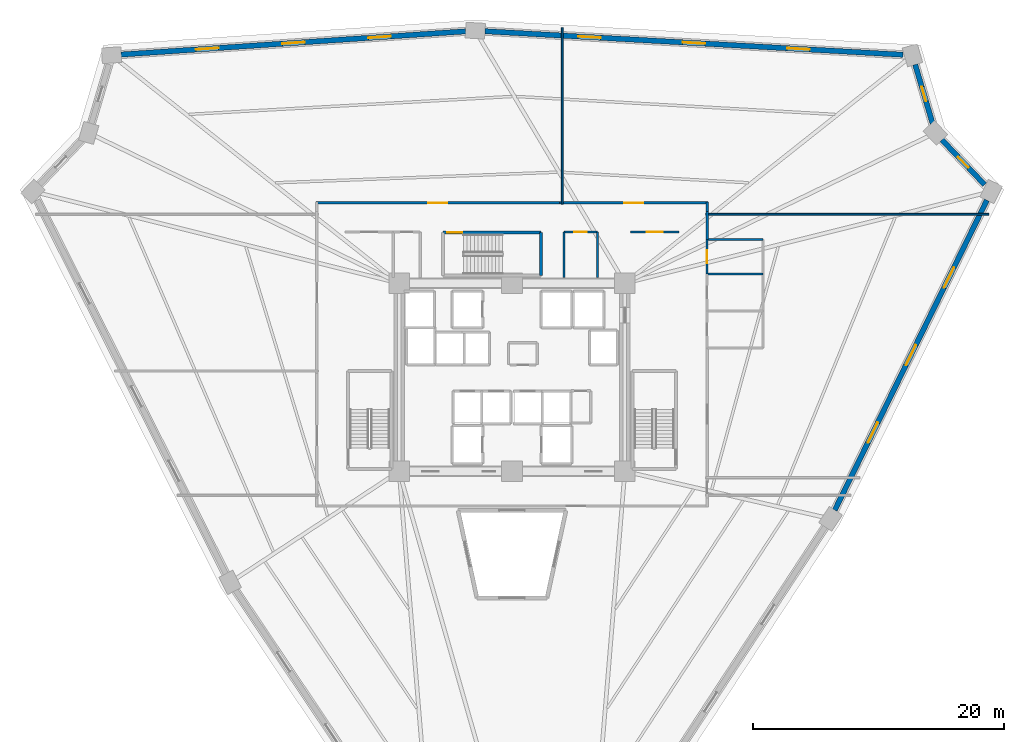
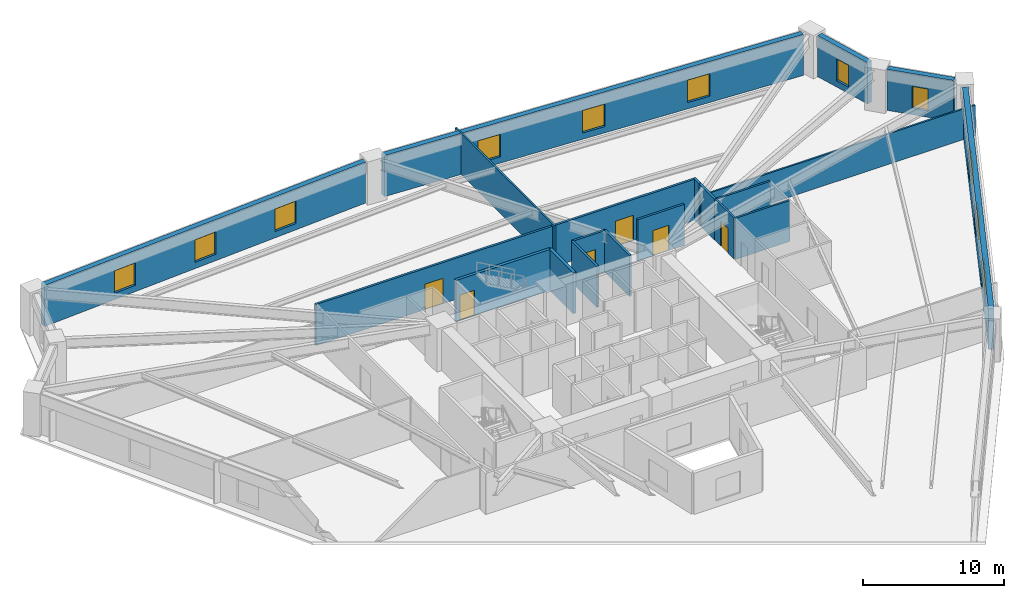
# One storey, part 6 of 8: 20 walls, 11 windows, 6 doors, 17 openings.
"""IFC4 building model written with IfcOpenShell, lengths in metres."""

from ifc_helpers import new_model, si_unit, direction, frame, frame_2d, origin, place, context, subcontext, project, spatial, rectangle, extrude, source, transform, mapped, material, layer, layer_set, type_object, element, fill, save


model = new_model("IFC4")

# Units and contexts
model_context = context("Model", 3, precision=1e-05, world=origin(), true_north=direction((0.0, 1.0)))
body_context = subcontext(model_context, "Body", "Model", "MODEL_VIEW")
ifc_project = project(units=[si_unit("LENGTHUNIT", "METRE"), si_unit("AREAUNIT", "SQUARE_METRE"), si_unit("VOLUMEUNIT", "CUBIC_METRE"), si_unit("PLANEANGLEUNIT", "RADIAN"), si_unit("MASSUNIT", "GRAM", prefix="KILO")], contexts=[model_context])

# Site, building, storey
site_placement = place(None, origin())
site = spatial("IfcSite", under=ifc_project, at=site_placement, CompositionType="ELEMENT")
building_placement = place(site_placement, origin())
building = spatial("IfcBuilding", under=site, at=building_placement, Name="Liaohun Quay Tower", CompositionType="ELEMENT")
storey_placement = place(building_placement, frame((0.0, 0.0, 63.0)))
storey = spatial("IfcBuildingStorey", under=building, at=storey_placement, Name="L16", CompositionType="ELEMENT", Elevation=63.0)

# Wall, openings, windows
ifc_material_1 = material(Name="Precast concrete C50 insulated sandwich", Category="concrete")
ifc_layer_1 = layer(ifc_material_1, 0.419921875, Name="Precast concrete C50 insulated sandwich", Category="concrete")
ifc_layer_set_1 = layer_set([ifc_layer_1], Name="Precast concrete C50 insulated sandwich")
wall_type_1 = type_object("IfcWallType", Name="WAL-EXT-Z12", PredefinedType="SOLIDWALL", material=ifc_layer_set_1)
wall_1_placement = place(storey_placement, frame((85.738037109375, 43.403076171875, 0.0), z_axis=(0.0, 0.0, 1.0), x_axis=(0.440623312768, 0.897692094343, 0.0)))
wall_1 = element("IfcWall", 1, at=wall_1_placement, inside=storey, type_object=wall_type_1, Name="L16 Brutalist Precast Pier Wall 03", PredefinedType="SOLIDWALL", context=body_context, shape_type="SweptSolid", body=[
    extrude(rectangle(XDim=27.538330078125, YDim=0.419921875, at=frame_2d((13.76904296875, 0.0))), origin(), (0.0, 0.0, 1.0), 3.570068359375),
])
shared_shape_1 = source(origin(), body_context, "Body", "SweptSolid", [
    extrude(rectangle(XDim=1.800048828125, YDim=1.949951171875, at=frame_2d((0.89990234375, 0.97509765625))), frame((0.0, 0.219970703125, 0.0), z_axis=(0.0, -1.0, 0.0), x_axis=(1.0, 0.0, 0.0)), (0.0, 0.0, 1.0), 0.43994140625),
])
opening_1_placement = place(wall_1_placement, frame((5.985107421875, 0.0, 0.550048828125)))
opening_1 = element("IfcOpeningElement", 2, at=opening_1_placement, cuts=wall_1, Name="Opening W01", PredefinedType="OPENING", context=body_context, shape_type="MappedRepresentation", body=[
    mapped(shared_shape_1, transform((0.0, 0.0, 0.0), x_axis=(1.0, 0.0, 0.0), y_axis=(0.0, 1.0, 0.0), z_axis=(0.0, 0.0, 1.0), scale=1.0)),
])
opening_2_placement = place(wall_1_placement, frame((12.868896484375, 0.0, 0.550048828125)))
opening_2 = element("IfcOpeningElement", 3, at=opening_2_placement, cuts=wall_1, Name="Opening W01", PredefinedType="OPENING", context=body_context, shape_type="MappedRepresentation", body=[
    mapped(shared_shape_1, transform((0.0, 0.0, 0.0), x_axis=(1.0, 0.0, 0.0), y_axis=(0.0, 1.0, 0.0), z_axis=(0.0, 0.0, 1.0), scale=1.0)),
])
opening_3_placement = place(wall_1_placement, frame((19.75390625, 0.0, 0.550048828125)))
opening_3 = element("IfcOpeningElement", 4, at=opening_3_placement, cuts=wall_1, Name="Opening W01", PredefinedType="OPENING", context=body_context, shape_type="MappedRepresentation", body=[
    mapped(shared_shape_1, transform((0.0, 0.0, 0.0), x_axis=(1.0, 0.0, 0.0), y_axis=(0.0, 1.0, 0.0), z_axis=(0.0, 0.0, 1.0), scale=1.0)),
])
ifc_material_2 = material(Name="Triple Low-E argon glazing in thermally broken aluminium", Category="aluminium")
window_type_1 = type_object("IfcWindowType", Name="WIN-PUN-Z1", PartitioningType="DOUBLE_PANEL_VERTICAL", PredefinedType="WINDOW", material=ifc_material_2)
shared_shape_2 = source(origin(), body_context, "Body", "SweptSolid", [
    extrude(rectangle(XDim=1.800048828125, YDim=1.949951171875, at=frame_2d((0.89990234375, 0.97509765625))), frame((0.0, 0.030029296875, 0.0), z_axis=(0.0, -1.0, 0.0), x_axis=(1.0, 0.0, 0.0)), (0.0, 0.0, 1.0), 0.06005859375),
])
window_1_placement = place(opening_1_placement, origin())
window_1 = element("IfcWindow", 5, at=window_1_placement, inside=storey, type_object=window_type_1, Name="L16 Recessed Cold-Climate Punched Window 03-1", OverallHeight=1.949951171875, OverallWidth=1.800048828125, PartitioningType="DOUBLE_PANEL_VERTICAL", PredefinedType="WINDOW", context=body_context, shape_type="MappedRepresentation", body=[
    mapped(shared_shape_2, transform((0.0, 0.0, 0.0), x_axis=(1.0, 0.0, 0.0), y_axis=(0.0, 1.0, 0.0), z_axis=(0.0, 0.0, 1.0), scale=1.0)),
])
fill(opening_1, window_1)
window_2_placement = place(opening_2_placement, origin())
window_2 = element("IfcWindow", 6, at=window_2_placement, inside=storey, type_object=window_type_1, Name="L16 Recessed Cold-Climate Punched Window 03-2", OverallHeight=1.949951171875, OverallWidth=1.800048828125, PartitioningType="DOUBLE_PANEL_VERTICAL", PredefinedType="WINDOW", context=body_context, shape_type="MappedRepresentation", body=[
    mapped(shared_shape_2, transform((0.0, 0.0, 0.0), x_axis=(1.0, 0.0, 0.0), y_axis=(0.0, 1.0, 0.0), z_axis=(0.0, 0.0, 1.0), scale=1.0)),
])
fill(opening_2, window_2)
window_3_placement = place(opening_3_placement, origin())
window_3 = element("IfcWindow", 7, at=window_3_placement, inside=storey, type_object=window_type_1, Name="L16 Recessed Cold-Climate Punched Window 03-3", OverallHeight=1.949951171875, OverallWidth=1.800048828125, PartitioningType="DOUBLE_PANEL_VERTICAL", PredefinedType="WINDOW", context=body_context, shape_type="MappedRepresentation", body=[
    mapped(shared_shape_2, transform((0.0, 0.0, 0.0), x_axis=(1.0, 0.0, 0.0), y_axis=(0.0, 1.0, 0.0), z_axis=(0.0, 0.0, 1.0), scale=1.0)),
])
fill(opening_3, window_3)

# Wall, opening, window
wall_2_placement = place(storey_placement, frame((97.681884765625, 69.364990234375, 0.0), z_axis=(0.0, 0.0, 1.0), x_axis=(-0.689227085511, 0.724545391675, 0.0)))
wall_2 = element("IfcWall", 8, at=wall_2_placement, inside=storey, type_object=wall_type_1, Name="L16 Brutalist Precast Pier Wall 04", PredefinedType="SOLIDWALL", context=body_context, shape_type="SweptSolid", body=[
    extrude(rectangle(XDim=4.9287109375, YDim=0.419921875, at=frame_2d((2.46435546875, 0.0))), origin(), (0.0, 0.0, 1.0), 3.570068359375),
])
shared_shape_3 = source(origin(), body_context, "Body", "SweptSolid", [
    extrude(rectangle(XDim=1.199951171875, YDim=1.89990234375, at=frame_2d((0.60009765625, 0.949951171875))), frame((0.0, 0.219970703125, 0.0), z_axis=(0.0, -1.0, 0.0), x_axis=(1.0, 0.0, 0.0)), (0.0, 0.0, 1.0), 0.43994140625),
])
opening_4_placement = place(wall_2_placement, frame((1.864013671875, 0.0, 0.550048828125)))
opening_4 = element("IfcOpeningElement", 9, at=opening_4_placement, cuts=wall_2, Name="Opening W05", PredefinedType="OPENING", context=body_context, shape_type="MappedRepresentation", body=[
    mapped(shared_shape_3, transform((0.0, 0.0, 0.0), x_axis=(1.0, 0.0, 0.0), y_axis=(0.0, 1.0, 0.0), z_axis=(0.0, 0.0, 1.0), scale=1.0)),
])
ifc_material_3 = material(Name="Triple Low-E corner notch glazing", Category="glass")
window_type_2 = type_object("IfcWindowType", Name="WIN-NOTCH", PartitioningType="SINGLE_PANEL", PredefinedType="WINDOW", material=ifc_material_3)
shared_shape_4 = source(origin(), body_context, "Body", "SweptSolid", [
    extrude(rectangle(XDim=1.199951171875, YDim=1.89990234375, at=frame_2d((0.60009765625, 0.949951171875))), frame((0.0, 0.030029296875, 0.0), z_axis=(0.0, -1.0, 0.0), x_axis=(1.0, 0.0, 0.0)), (0.0, 0.0, 1.0), 0.06005859375),
])
window_4_placement = place(opening_4_placement, origin())
window_4 = element("IfcWindow", 10, at=window_4_placement, inside=storey, type_object=window_type_2, Name="L16 Corner Notch Window W05-04", OverallHeight=1.89990234375, OverallWidth=1.199951171875, PartitioningType="SINGLE_PANEL", PredefinedType="WINDOW", context=body_context, shape_type="MappedRepresentation", body=[
    mapped(shared_shape_4, transform((0.0, 0.0, 0.0), x_axis=(1.0, 0.0, 0.0), y_axis=(0.0, 1.0, 0.0), z_axis=(0.0, 0.0, 1.0), scale=1.0)),
])
fill(opening_4, window_4)

wall_3_placement = place(storey_placement, frame((93.5419921875, 74.22412109375, 0.0), z_axis=(0.0, 0.0, 1.0), x_axis=(-0.282888780921, 0.959152718616, 0.0)))
wall_3 = element("IfcWall", 11, at=wall_3_placement, inside=storey, type_object=wall_type_1, Name="L16 Brutalist Precast Pier Wall 05", PredefinedType="SOLIDWALL", context=body_context, shape_type="SweptSolid", body=[
    extrude(rectangle(XDim=4.9208984375, YDim=0.419921875, at=frame_2d((2.46044921875, 0.0))), origin(), (0.0, 0.0, 1.0), 3.570068359375),
])
opening_5_placement = place(wall_3_placement, frame((1.860107421875, 0.0, 0.550048828125)))
opening_5 = element("IfcOpeningElement", 12, at=opening_5_placement, cuts=wall_3, Name="Opening W05", PredefinedType="OPENING", context=body_context, shape_type="MappedRepresentation", body=[
    mapped(shared_shape_3, transform((0.0, 0.0, 0.0), x_axis=(1.0, 0.0, 0.0), y_axis=(0.0, 1.0, 0.0), z_axis=(0.0, 0.0, 1.0), scale=1.0)),
])
window_5_placement = place(opening_5_placement, origin())
window_5 = element("IfcWindow", 13, at=window_5_placement, inside=storey, type_object=window_type_2, Name="L16 Corner Notch Window W05-05", OverallHeight=1.89990234375, OverallWidth=1.199951171875, PartitioningType="SINGLE_PANEL", PredefinedType="WINDOW", context=body_context, shape_type="MappedRepresentation", body=[
    mapped(shared_shape_4, transform((0.0, 0.0, 0.0), x_axis=(1.0, 0.0, 0.0), y_axis=(0.0, 1.0, 0.0), z_axis=(0.0, 0.0, 1.0), scale=1.0)),
])
fill(opening_5, window_5)

# Wall, openings, windows
wall_4_placement = place(storey_placement, frame((91.169921875, 79.720947265625, 0.0), z_axis=(0.0, 0.0, 1.0), x_axis=(-0.998420041746, 0.056190926675, 0.0)))
wall_4 = element("IfcWall", 14, at=wall_4_placement, inside=storey, type_object=wall_type_1, Name="L16 Brutalist Precast Pier Wall 06", PredefinedType="SOLIDWALL", context=body_context, shape_type="SweptSolid", body=[
    extrude(rectangle(XDim=33.3857421875, YDim=0.419921875, at=frame_2d((16.69287109375, 0.0))), origin(), (0.0, 0.0, 1.0), 3.570068359375),
])
opening_6_placement = place(wall_4_placement, frame((7.446044921875, 0.0, 0.550048828125)))
opening_6 = element("IfcOpeningElement", 15, at=opening_6_placement, cuts=wall_4, Name="Opening W01", PredefinedType="OPENING", context=body_context, shape_type="MappedRepresentation", body=[
    mapped(shared_shape_1, transform((0.0, 0.0, 0.0), x_axis=(1.0, 0.0, 0.0), y_axis=(0.0, 1.0, 0.0), z_axis=(0.0, 0.0, 1.0), scale=1.0)),
])
opening_7_placement = place(wall_4_placement, frame((15.79296875, 0.0, 0.550048828125)))
opening_7 = element("IfcOpeningElement", 16, at=opening_7_placement, cuts=wall_4, Name="Opening W01", PredefinedType="OPENING", context=body_context, shape_type="MappedRepresentation", body=[
    mapped(shared_shape_1, transform((0.0, 0.0, 0.0), x_axis=(1.0, 0.0, 0.0), y_axis=(0.0, 1.0, 0.0), z_axis=(0.0, 0.0, 1.0), scale=1.0)),
])
opening_8_placement = place(wall_4_placement, frame((24.138916015625, 0.0, 0.550048828125)))
opening_8 = element("IfcOpeningElement", 17, at=opening_8_placement, cuts=wall_4, Name="Opening W01", PredefinedType="OPENING", context=body_context, shape_type="MappedRepresentation", body=[
    mapped(shared_shape_1, transform((0.0, 0.0, 0.0), x_axis=(1.0, 0.0, 0.0), y_axis=(0.0, 1.0, 0.0), z_axis=(0.0, 0.0, 1.0), scale=1.0)),
])
window_6_placement = place(opening_6_placement, origin())
window_6 = element("IfcWindow", 18, at=window_6_placement, inside=storey, type_object=window_type_1, Name="L16 Recessed Cold-Climate Punched Window 06-1", OverallHeight=1.949951171875, OverallWidth=1.800048828125, PartitioningType="DOUBLE_PANEL_VERTICAL", PredefinedType="WINDOW", context=body_context, shape_type="MappedRepresentation", body=[
    mapped(shared_shape_2, transform((0.0, 0.0, 0.0), x_axis=(1.0, 0.0, 0.0), y_axis=(0.0, 1.0, 0.0), z_axis=(0.0, 0.0, 1.0), scale=1.0)),
])
fill(opening_6, window_6)
window_7_placement = place(opening_7_placement, origin())
window_7 = element("IfcWindow", 19, at=window_7_placement, inside=storey, type_object=window_type_1, Name="L16 Recessed Cold-Climate Punched Window 06-2", OverallHeight=1.949951171875, OverallWidth=1.800048828125, PartitioningType="DOUBLE_PANEL_VERTICAL", PredefinedType="WINDOW", context=body_context, shape_type="MappedRepresentation", body=[
    mapped(shared_shape_2, transform((0.0, 0.0, 0.0), x_axis=(1.0, 0.0, 0.0), y_axis=(0.0, 1.0, 0.0), z_axis=(0.0, 0.0, 1.0), scale=1.0)),
])
fill(opening_7, window_7)
window_8_placement = place(opening_8_placement, origin())
window_8 = element("IfcWindow", 20, at=window_8_placement, inside=storey, type_object=window_type_1, Name="L16 Recessed Cold-Climate Punched Window 06-3", OverallHeight=1.949951171875, OverallWidth=1.800048828125, PartitioningType="DOUBLE_PANEL_VERTICAL", PredefinedType="WINDOW", context=body_context, shape_type="MappedRepresentation", body=[
    mapped(shared_shape_2, transform((0.0, 0.0, 0.0), x_axis=(1.0, 0.0, 0.0), y_axis=(0.0, 1.0, 0.0), z_axis=(0.0, 0.0, 1.0), scale=1.0)),
])
fill(opening_8, window_8)

wall_5_placement = place(storey_placement, frame((56.31005859375, 81.589111328125, 0.0), z_axis=(0.0, 0.0, 1.0), x_axis=(-0.997734032959, -0.067281494306, 0.0)))
wall_5 = element("IfcWall", 21, at=wall_5_placement, inside=storey, type_object=wall_type_1, Name="L16 Brutalist Precast Pier Wall 07", PredefinedType="SOLIDWALL", context=body_context, shape_type="SweptSolid", body=[
    extrude(rectangle(XDim=27.54150390625, YDim=0.419921875, at=frame_2d((13.770751953125, 0.0))), origin(), (0.0, 0.0, 1.0), 3.570068359375),
])
opening_9_placement = place(wall_5_placement, frame((5.985107421875, 0.0, 0.550048828125)))
opening_9 = element("IfcOpeningElement", 22, at=opening_9_placement, cuts=wall_5, Name="Opening W01", PredefinedType="OPENING", context=body_context, shape_type="MappedRepresentation", body=[
    mapped(shared_shape_1, transform((0.0, 0.0, 0.0), x_axis=(1.0, 0.0, 0.0), y_axis=(0.0, 1.0, 0.0), z_axis=(0.0, 0.0, 1.0), scale=1.0)),
])
opening_10_placement = place(wall_5_placement, frame((12.87109375, 0.0, 0.550048828125)))
opening_10 = element("IfcOpeningElement", 23, at=opening_10_placement, cuts=wall_5, Name="Opening W01", PredefinedType="OPENING", context=body_context, shape_type="MappedRepresentation", body=[
    mapped(shared_shape_1, transform((0.0, 0.0, 0.0), x_axis=(1.0, 0.0, 0.0), y_axis=(0.0, 1.0, 0.0), z_axis=(0.0, 0.0, 1.0), scale=1.0)),
])
opening_11_placement = place(wall_5_placement, frame((19.756103515625, 0.0, 0.550048828125)))
opening_11 = element("IfcOpeningElement", 24, at=opening_11_placement, cuts=wall_5, Name="Opening W01", PredefinedType="OPENING", context=body_context, shape_type="MappedRepresentation", body=[
    mapped(shared_shape_1, transform((0.0, 0.0, 0.0), x_axis=(1.0, 0.0, 0.0), y_axis=(0.0, 1.0, 0.0), z_axis=(0.0, 0.0, 1.0), scale=1.0)),
])
window_9_placement = place(opening_9_placement, origin())
window_9 = element("IfcWindow", 25, at=window_9_placement, inside=storey, type_object=window_type_1, Name="L16 Recessed Cold-Climate Punched Window 07-1", OverallHeight=1.949951171875, OverallWidth=1.800048828125, PartitioningType="DOUBLE_PANEL_VERTICAL", PredefinedType="WINDOW", context=body_context, shape_type="MappedRepresentation", body=[
    mapped(shared_shape_2, transform((0.0, 0.0, 0.0), x_axis=(1.0, 0.0, 0.0), y_axis=(0.0, 1.0, 0.0), z_axis=(0.0, 0.0, 1.0), scale=1.0)),
])
fill(opening_9, window_9)
window_10_placement = place(opening_10_placement, origin())
window_10 = element("IfcWindow", 26, at=window_10_placement, inside=storey, type_object=window_type_1, Name="L16 Recessed Cold-Climate Punched Window 07-2", OverallHeight=1.949951171875, OverallWidth=1.800048828125, PartitioningType="DOUBLE_PANEL_VERTICAL", PredefinedType="WINDOW", context=body_context, shape_type="MappedRepresentation", body=[
    mapped(shared_shape_2, transform((0.0, 0.0, 0.0), x_axis=(1.0, 0.0, 0.0), y_axis=(0.0, 1.0, 0.0), z_axis=(0.0, 0.0, 1.0), scale=1.0)),
])
fill(opening_10, window_10)
window_11_placement = place(opening_11_placement, origin())
window_11 = element("IfcWindow", 27, at=window_11_placement, inside=storey, type_object=window_type_1, Name="L16 Recessed Cold-Climate Punched Window 07-3", OverallHeight=1.949951171875, OverallWidth=1.800048828125, PartitioningType="DOUBLE_PANEL_VERTICAL", PredefinedType="WINDOW", context=body_context, shape_type="MappedRepresentation", body=[
    mapped(shared_shape_2, transform((0.0, 0.0, 0.0), x_axis=(1.0, 0.0, 0.0), y_axis=(0.0, 1.0, 0.0), z_axis=(0.0, 0.0, 1.0), scale=1.0)),
])
fill(opening_11, window_11)

# Wall, opening, door
ifc_material_4 = material(Name="Autoclaved aerated concrete blockwork", Category="masonry")
ifc_layer_2 = layer(ifc_material_4, 0.179931640625, Name="Autoclaved aerated concrete blockwork", Category="masonry")
ifc_layer_set_2 = layer_set([ifc_layer_2], Name="Autoclaved aerated concrete blockwork")
wall_type_2 = type_object("IfcWallType", Name="WAL-PRT-COR", PredefinedType="PARTITIONING", material=ifc_layer_set_2)
wall_6_placement = place(storey_placement, frame((64.139892578125, 65.580078125, 0.0), z_axis=(0.0, 0.0, 1.0), x_axis=(1.0, 0.0, 0.0)))
wall_6 = element("IfcWall", 28, at=wall_6_placement, inside=storey, type_object=wall_type_2, Name="L16 Interior Partition Wall 007", PredefinedType="PARTITIONING", context=body_context, shape_type="SweptSolid", body=[
    extrude(rectangle(XDim=2.670166015625, YDim=0.179931640625, at=frame_2d((1.3349609375, 0.0))), origin(), (0.0, 0.0, 1.0), 3.570068359375),
])
shared_shape_5 = source(origin(), body_context, "Body", "SweptSolid", [
    extrude(rectangle(XDim=1.0, YDim=2.199951171875, at=frame_2d((0.5, 1.10009765625))), frame((0.0, 0.099853515625, 0.0), z_axis=(0.0, -1.0, 0.0), x_axis=(1.0, 0.0, 0.0)), (0.0, 0.0, 1.0), 0.199951171875),
])
opening_12_placement = place(wall_6_placement, frame((0.8349609375, 0.0, 0.0)))
opening_12 = element("IfcOpeningElement", 29, at=opening_12_placement, cuts=wall_6, Name="Opening OD1", PredefinedType="OPENING", context=body_context, shape_type="MappedRepresentation", body=[
    mapped(shared_shape_5, transform((0.0, 0.0, 0.0), x_axis=(1.0, 0.0, 0.0), y_axis=(0.0, 1.0, 0.0), z_axis=(0.0, 0.0, 1.0), scale=1.0)),
])
ifc_material_5 = material(Name="Solid-core oak veneer timber leaf in steel frame", Category="steel")
door_type_1 = type_object("IfcDoorType", Name="DOR-OFF-1000", OperationType="NOTDEFINED", PredefinedType="DOOR", material=ifc_material_5)
shared_shape_6 = source(origin(), body_context, "Body", "SweptSolid", [
    extrude(rectangle(XDim=1.0, YDim=2.199951171875, at=frame_2d((0.5, 1.10009765625))), frame((0.0, 0.02490234375, 0.0), z_axis=(0.0, -1.0, 0.0), x_axis=(1.0, 0.0, 0.0)), (0.0, 0.0, 1.0), 0.050048828125),
])
door_1_placement = place(opening_12_placement, origin())
door_1 = element("IfcDoor", 30, at=door_1_placement, inside=storey, type_object=door_type_1, Name="L16 North-East Server Closet Door", OperationType="SINGLE_SWING_LEFT", OverallHeight=2.199951171875, OverallWidth=1.0, PredefinedType="DOOR", context=body_context, shape_type="MappedRepresentation", body=[
    mapped(shared_shape_6, transform((0.0, 0.0, 0.0), x_axis=(1.0, 0.0, 0.0), y_axis=(0.0, 1.0, 0.0), z_axis=(0.0, 0.0, 1.0), scale=1.0)),
])
fill(opening_12, door_1)

wall_7_placement = place(storey_placement, frame((69.4599609375, 65.580078125, 0.0), z_axis=(0.0, 0.0, 1.0), x_axis=(1.0, 0.0, 0.0)))
wall_7 = element("IfcWall", 31, at=wall_7_placement, inside=storey, type_object=wall_type_2, Name="L16 Interior Partition Wall 009", PredefinedType="PARTITIONING", context=body_context, shape_type="SweptSolid", body=[
    extrude(rectangle(XDim=3.840087890625, YDim=0.179931640625, at=frame_2d((1.919921875, 0.0))), origin(), (0.0, 0.0, 1.0), 3.570068359375),
])
shared_shape_7 = source(origin(), body_context, "Body", "SweptSolid", [
    extrude(rectangle(XDim=1.300048828125, YDim=2.199951171875, at=frame_2d((0.64990234375, 1.10009765625))), frame((0.0, 0.099853515625, 0.0), z_axis=(0.0, -1.0, 0.0), x_axis=(1.0, 0.0, 0.0)), (0.0, 0.0, 1.0), 0.199951171875),
])
opening_13_placement = place(wall_7_placement, frame((1.27001953125, 0.0, 0.0)))
opening_13 = element("IfcOpeningElement", 32, at=opening_13_placement, cuts=wall_7, Name="Opening FD1", PredefinedType="OPENING", context=body_context, shape_type="MappedRepresentation", body=[
    mapped(shared_shape_7, transform((0.0, 0.0, 0.0), x_axis=(1.0, 0.0, 0.0), y_axis=(0.0, 1.0, 0.0), z_axis=(0.0, 0.0, 1.0), scale=1.0)),
])
ifc_material_6 = material(Name="Galvanised steel smokeproof fire door", Category="steel")
door_type_2 = type_object("IfcDoorType", Name="DOR-FFL-1300", OperationType="NOTDEFINED", PredefinedType="DOOR", material=ifc_material_6)
shared_shape_8 = source(origin(), body_context, "Body", "SweptSolid", [
    extrude(rectangle(XDim=1.300048828125, YDim=2.199951171875, at=frame_2d((0.64990234375, 1.10009765625))), frame((0.0, 0.02490234375, 0.0), z_axis=(0.0, -1.0, 0.0), x_axis=(1.0, 0.0, 0.0)), (0.0, 0.0, 1.0), 0.050048828125),
])
door_2_placement = place(opening_13_placement, origin())
door_2 = element("IfcDoor", 33, at=door_2_placement, inside=storey, type_object=door_type_2, Name="L16 East Core Vestibule Door", OperationType="SINGLE_SWING_LEFT", OverallHeight=2.199951171875, OverallWidth=1.300048828125, PredefinedType="DOOR", context=body_context, shape_type="MappedRepresentation", body=[
    mapped(shared_shape_8, transform((0.0, 0.0, 0.0), x_axis=(1.0, 0.0, 0.0), y_axis=(0.0, 1.0, 0.0), z_axis=(0.0, 0.0, 1.0), scale=1.0)),
])
fill(opening_13, door_2)

wall_8_placement = place(storey_placement, frame((63.784912109375, 67.909912109375, 0.0), z_axis=(0.0, 0.0, 1.0), x_axis=(1.0, 0.0, 0.0)))
wall_8 = element("IfcWall", 34, at=wall_8_placement, inside=storey, type_object=wall_type_2, Name="L16 Interior Partition Wall 011", PredefinedType="PARTITIONING", context=body_context, shape_type="SweptSolid", body=[
    extrude(rectangle(XDim=11.844970703125, YDim=0.179931640625, at=frame_2d((5.92236328125, 0.0))), origin(), (0.0, 0.0, 1.0), 3.570068359375),
])
shared_shape_9 = source(origin(), body_context, "Body", "SweptSolid", [
    extrude(rectangle(XDim=1.5, YDim=2.199951171875, at=frame_2d((0.75, 1.10009765625))), frame((0.0, 0.099853515625, 0.0), z_axis=(0.0, -1.0, 0.0), x_axis=(1.0, 0.0, 0.0)), (0.0, 0.0, 1.0), 0.199951171875),
])
opening_14_placement = place(wall_8_placement, frame((5.172119140625, 0.0, 0.0)))
opening_14 = element("IfcOpeningElement", 35, at=opening_14_placement, cuts=wall_8, Name="Opening OD2", PredefinedType="OPENING", context=body_context, shape_type="MappedRepresentation", body=[
    mapped(shared_shape_9, transform((0.0, 0.0, 0.0), x_axis=(1.0, 0.0, 0.0), y_axis=(0.0, 1.0, 0.0), z_axis=(0.0, 0.0, 1.0), scale=1.0)),
])
ifc_material_7 = material(Name="Acoustic oak veneer double door")
door_type_3 = type_object("IfcDoorType", Name="DOR-OFF-1500", OperationType="DOUBLE_DOOR_SINGLE_SWING", PredefinedType="DOOR", material=ifc_material_7)
shared_shape_10 = source(origin(), body_context, "Body", "SweptSolid", [
    extrude(rectangle(XDim=1.5, YDim=2.199951171875, at=frame_2d((0.75, 1.10009765625))), frame((0.0, 0.02490234375, 0.0), z_axis=(0.0, -1.0, 0.0), x_axis=(1.0, 0.0, 0.0)), (0.0, 0.0, 1.0), 0.050048828125),
])
door_3_placement = place(opening_14_placement, origin())
door_3 = element("IfcDoor", 36, at=door_3_placement, inside=storey, type_object=door_type_3, Name="L16 Engineering Model Workshop 02 Door", OperationType="DOUBLE_DOOR_SINGLE_SWING", OverallHeight=2.199951171875, OverallWidth=1.5, PredefinedType="DOOR", context=body_context, shape_type="MappedRepresentation", body=[
    mapped(shared_shape_10, transform((0.0, 0.0, 0.0), x_axis=(1.0, 0.0, 0.0), y_axis=(0.0, 1.0, 0.0), z_axis=(0.0, 0.0, 1.0), scale=1.0)),
])
fill(opening_14, door_3)

wall_9_placement = place(storey_placement, frame((44.3701171875, 67.909912109375, 0.0), z_axis=(0.0, 0.0, 1.0), x_axis=(1.0, 0.0, 0.0)))
wall_9 = element("IfcWall", 37, at=wall_9_placement, inside=storey, type_object=wall_type_2, Name="L16 Interior Partition Wall 012", PredefinedType="PARTITIONING", context=body_context, shape_type="SweptSolid", body=[
    extrude(rectangle(XDim=19.414794921875, YDim=0.179931640625, at=frame_2d((9.70751953125, 0.0))), origin(), (0.0, 0.0, 1.0), 3.570068359375),
])
opening_15_placement = place(wall_9_placement, frame((8.95703125, 0.0, 0.0)))
opening_15 = element("IfcOpeningElement", 38, at=opening_15_placement, cuts=wall_9, Name="Opening OD2", PredefinedType="OPENING", context=body_context, shape_type="MappedRepresentation", body=[
    mapped(shared_shape_9, transform((0.0, 0.0, 0.0), x_axis=(1.0, 0.0, 0.0), y_axis=(0.0, 1.0, 0.0), z_axis=(0.0, 0.0, 1.0), scale=1.0)),
])
door_4_placement = place(opening_15_placement, origin())
door_4 = element("IfcDoor", 39, at=door_4_placement, inside=storey, type_object=door_type_3, Name="L16 Architectural Design Studio 03 Door", OperationType="DOUBLE_DOOR_SINGLE_SWING", OverallHeight=2.199951171875, OverallWidth=1.5, PredefinedType="DOOR", context=body_context, shape_type="MappedRepresentation", body=[
    mapped(shared_shape_10, transform((0.0, 0.0, 0.0), x_axis=(1.0, 0.0, 0.0), y_axis=(0.0, 1.0, 0.0), z_axis=(0.0, 0.0, 1.0), scale=1.0)),
])
fill(opening_15, door_4)

# Walls
for number, where, z_axis, x_axis, name in (
    (40, (64.139892578125, 61.949951171875, 0.0), (0.0, 0.0, 1.0), (0.0, 1.0, 0.0), "L16 Interior Partition Wall 029"),
    (41, (66.81005859375, 61.949951171875, 0.0), (0.0, 0.0, 1.0), (0.0, 1.0, 0.0), "L16 Interior Partition Wall 030"),
):
    element("IfcWall", number, at=place(storey_placement, frame(where, z_axis=z_axis, x_axis=x_axis)), inside=storey, type_object=wall_type_2, Name=name, PredefinedType="PARTITIONING", context=body_context, shape_type="SweptSolid", body=[
        extrude(rectangle(XDim=3.630126953125, YDim=0.179931640625, at=frame_2d((1.81494140625, 0.0))), origin(), (0.0, 0.0, 1.0), 3.570068359375),
    ])
wall_10_placement = place(storey_placement, frame((75.56005859375, 67.215087890625, 0.0), z_axis=(0.0, 0.0, 1.0), x_axis=(0.0, -1.0, 0.0)))
element("IfcWall", 42, at=wall_10_placement, inside=storey, type_object=wall_type_2, Name="L16 Interior Partition Wall 031", PredefinedType="PARTITIONING", context=body_context, shape_type="SweptSolid", body=[
    extrude(rectangle(XDim=2.235107421875, YDim=0.179931640625, at=frame_2d((1.11767578125, 0.0))), origin(), (0.0, 0.0, 1.0), 3.570068359375),
])
wall_11_placement = place(storey_placement, frame((75.56005859375, 67.97998046875, 0.0), z_axis=(0.0, 0.0, 1.0), x_axis=(0.0, -1.0, 0.0)))
element("IfcWall", 43, at=wall_11_placement, inside=storey, type_object=wall_type_2, Name="L16 Interior Partition Wall 032", PredefinedType="PARTITIONING", context=body_context, shape_type="SweptSolid", body=[
    extrude(rectangle(XDim=0.764892578125, YDim=0.179931640625, at=frame_2d((0.38232421875, 0.0))), origin(), (0.0, 0.0, 1.0), 3.570068359375),
])
ifc_material_8 = material(Name="Gypsum board on twin steel studs", Category="steel")
ifc_layer_3 = layer(ifc_material_8, 0.139892578125, Name="Gypsum board on twin steel studs", Category="steel")
ifc_layer_set_3 = layer_set([ifc_layer_3], Name="Gypsum board on twin steel studs")
wall_type_3 = type_object("IfcWallType", Name="WAL-PRT-OFF", PredefinedType="PARTITIONING", material=ifc_layer_set_3)
wall_12_placement = place(storey_placement, frame((75.4599609375, 67.0, 0.0), z_axis=(0.0, 0.0, 1.0), x_axis=(1.0, 0.0, 0.0)))
element("IfcWall", 44, at=wall_12_placement, inside=storey, type_object=wall_type_3, Name="L16 Interior Partition Wall 041", PredefinedType="PARTITIONING", context=body_context, shape_type="SweptSolid", body=[
    extrude(rectangle(XDim=22.56201171875, YDim=0.139892578125, at=frame_2d((11.281005859375, 0.0))), origin(), (0.0, 0.0, 1.0), 2.655029296875),
])
wall_13_placement = place(storey_placement, frame((64.0, 67.81005859375, 0.0), z_axis=(0.0, 0.0, 1.0), x_axis=(0.0, 1.0, 0.0)))
element("IfcWall", 45, at=wall_13_placement, inside=storey, type_object=wall_type_3, Name="L16 Interior Partition Wall 042", PredefinedType="PARTITIONING", context=body_context, shape_type="SweptSolid", body=[
    extrude(rectangle(XDim=14.071044921875, YDim=0.139892578125, at=frame_2d((7.03564453125, 0.0))), origin(), (0.0, 0.0, 1.0), 3.570068359375),
])

# Wall, opening, door
ifc_material_9 = material(Name="Moisture-resistant masonry blockwork", Category="masonry")
ifc_layer_4 = layer(ifc_material_9, 0.159912109375, Name="Moisture-resistant masonry blockwork", Category="masonry")
ifc_layer_set_4 = layer_set([ifc_layer_4], Name="Moisture-resistant masonry blockwork")
wall_type_4 = type_object("IfcWallType", Name="WAL-PRT-WET", PredefinedType="PARTITIONING", material=ifc_layer_set_4)
wall_14_placement = place(storey_placement, frame((75.56005859375, 62.239990234375, 0.0), z_axis=(0.0, 0.0, 1.0), x_axis=(0.0, 1.0, 0.0)))
wall_14 = element("IfcWall", 46, at=wall_14_placement, inside=storey, type_object=wall_type_4, Name="L16 Interior Partition Wall 005", PredefinedType="PARTITIONING", context=body_context, shape_type="SweptSolid", body=[
    extrude(rectangle(XDim=2.739990234375, YDim=0.159912109375, at=frame_2d((1.3701171875, 0.0))), origin(), (0.0, 0.0, 1.0), 3.570068359375),
])
shared_shape_11 = source(origin(), body_context, "Body", "SweptSolid", [
    extrude(rectangle(XDim=1.050048828125, YDim=2.14990234375, at=frame_2d((0.52490234375, 1.074951171875))), frame((0.0, 0.08984375, 0.0), z_axis=(0.0, -1.0, 0.0), x_axis=(1.0, 0.0, 0.0)), (0.0, 0.0, 1.0), 0.179931640625),
])
opening_16_placement = place(wall_14_placement, frame((0.844970703125, 0.0, 0.0)))
opening_16 = element("IfcOpeningElement", 47, at=opening_16_placement, cuts=wall_14, Name="Opening WD2", PredefinedType="OPENING", context=body_context, shape_type="MappedRepresentation", body=[
    mapped(shared_shape_11, transform((0.0, 0.0, 0.0), x_axis=(1.0, 0.0, 0.0), y_axis=(0.0, 1.0, 0.0), z_axis=(0.0, 0.0, 1.0), scale=1.0)),
])
ifc_material_10 = material(Name="Accessible outward-swinging laminate door")
door_type_4 = type_object("IfcDoorType", Name="DOR-AWC-1050", OperationType="NOTDEFINED", PredefinedType="DOOR", material=ifc_material_10)
shared_shape_12 = source(origin(), body_context, "Body", "SweptSolid", [
    extrude(rectangle(XDim=1.050048828125, YDim=2.14990234375, at=frame_2d((0.52490234375, 1.074951171875))), frame((0.0, 0.02490234375, 0.0), z_axis=(0.0, -1.0, 0.0), x_axis=(1.0, 0.0, 0.0)), (0.0, 0.0, 1.0), 0.050048828125),
])
door_5_placement = place(opening_16_placement, origin())
door_5 = element("IfcDoor", 48, at=door_5_placement, inside=storey, type_object=door_type_4, Name="L16 Accessible WC Door", OperationType="SINGLE_SWING_LEFT", OverallHeight=2.14990234375, OverallWidth=1.050048828125, PredefinedType="DOOR", context=body_context, shape_type="MappedRepresentation", body=[
    mapped(shared_shape_12, transform((0.0, 0.0, 0.0), x_axis=(1.0, 0.0, 0.0), y_axis=(0.0, 1.0, 0.0), z_axis=(0.0, 0.0, 1.0), scale=1.0)),
])
fill(opening_16, door_5)

# Walls
for number, where, z_axis, x_axis, name in (
    (49, (75.56005859375, 62.239990234375, 0.0), (0.0, 0.0, 1.0), (1.0, 0.0, 0.0), "L16 Interior Partition Wall 025"),
    (50, (75.56005859375, 64.97998046875, 0.0), (0.0, 0.0, 1.0), (1.0, 0.0, 0.0), "L16 Interior Partition Wall 026"),
):
    element("IfcWall", number, at=place(storey_placement, frame(where, z_axis=z_axis, x_axis=x_axis)), inside=storey, type_object=wall_type_4, Name=name, PredefinedType="PARTITIONING", context=body_context, shape_type="SweptSolid", body=[
        extrude(rectangle(XDim=4.4599609375, YDim=0.159912109375, at=frame_2d((2.22998046875, 0.0))), origin(), (0.0, 0.0, 1.0), 3.570068359375),
    ])
ifc_material_11 = material(Name="Concrete C50", Category="concrete")
ifc_layer_5 = layer(ifc_material_11, 0.239990234375, Name="Concrete C50", Category="concrete")
ifc_layer_set_5 = layer_set([ifc_layer_5], Name="Concrete C50")
wall_type_5 = type_object("IfcWallType", Name="WAL-SHF-200", PredefinedType="SOLIDWALL", material=ifc_layer_set_5)
wall_15_placement = place(storey_placement, frame((62.320068359375, 62.10009765625, 0.0), z_axis=(0.0, 0.0, 1.0), x_axis=(0.0, 1.0, 0.0)))
element("IfcWall", 51, at=wall_15_placement, inside=storey, type_object=wall_type_5, Name="L16 Stairwell ST-3 Structural Core Wall E", PredefinedType="SOLIDWALL", context=body_context, shape_type="SweptSolid", body=[
    extrude(rectangle(XDim=3.43994140625, YDim=0.239990234375, at=frame_2d((1.719970703125, 0.0))), origin(), (0.0, 0.0, 1.0), 3.570068359375),
])

# Wall, opening, door
wall_16_placement = place(storey_placement, frame((62.320068359375, 65.5400390625, 0.0), z_axis=(0.0, 0.0, 1.0), x_axis=(-1.0, 0.0, 0.0)))
wall_16 = element("IfcWall", 52, at=wall_16_placement, inside=storey, type_object=wall_type_5, Name="L16 Stairwell ST-3 Structural Core Wall N", PredefinedType="SOLIDWALL", context=body_context, shape_type="SweptSolid", body=[
    extrude(rectangle(XDim=7.820068359375, YDim=0.239990234375, at=frame_2d((3.91015625, 0.0))), origin(), (0.0, 0.0, 1.0), 3.570068359375),
])
shared_shape_13 = source(origin(), body_context, "Body", "SweptSolid", [
    extrude(rectangle(XDim=1.199951171875, YDim=2.199951171875, at=frame_2d((0.60009765625, 1.10009765625))), frame((0.0, 0.1298828125, 0.0), z_axis=(0.0, -1.0, 0.0), x_axis=(1.0, 0.0, 0.0)), (0.0, 0.0, 1.0), 0.260009765625),
])
opening_17_placement = place(wall_16_placement, frame((6.300048828125, 0.0, 0.0)))
opening_17 = element("IfcOpeningElement", 53, at=opening_17_placement, cuts=wall_16, Name="Opening SD1", PredefinedType="OPENING", context=body_context, shape_type="MappedRepresentation", body=[
    mapped(shared_shape_13, transform((0.0, 0.0, 0.0), x_axis=(1.0, 0.0, 0.0), y_axis=(0.0, 1.0, 0.0), z_axis=(0.0, 0.0, 1.0), scale=1.0)),
])
ifc_material_12 = material(Name="Galvanised steel fire door", Category="steel")
door_type_5 = type_object("IfcDoorType", Name="DOR-STR-1200", OperationType="NOTDEFINED", PredefinedType="DOOR", material=ifc_material_12)
shared_shape_14 = source(origin(), body_context, "Body", "SweptSolid", [
    extrude(rectangle(XDim=1.199951171875, YDim=2.199951171875, at=frame_2d((0.60009765625, 1.10009765625))), frame((0.0, 0.02490234375, 0.0), z_axis=(0.0, -1.0, 0.0), x_axis=(1.0, 0.0, 0.0)), (0.0, 0.0, 1.0), 0.050048828125),
])
door_6_placement = place(opening_17_placement, origin())
door_6 = element("IfcDoor", 54, at=door_6_placement, inside=storey, type_object=door_type_5, Name="L16 Protected Stair ST-3 Fire Door", OperationType="SINGLE_SWING_RIGHT", OverallHeight=2.199951171875, OverallWidth=1.199951171875, PredefinedType="DOOR", context=body_context, shape_type="MappedRepresentation", body=[
    mapped(shared_shape_14, transform((0.0, 0.0, 0.0), x_axis=(1.0, 0.0, 0.0), y_axis=(0.0, 1.0, 0.0), z_axis=(0.0, 0.0, 1.0), scale=1.0)),
])
fill(opening_17, door_6)

save(model, "model.ifc")
